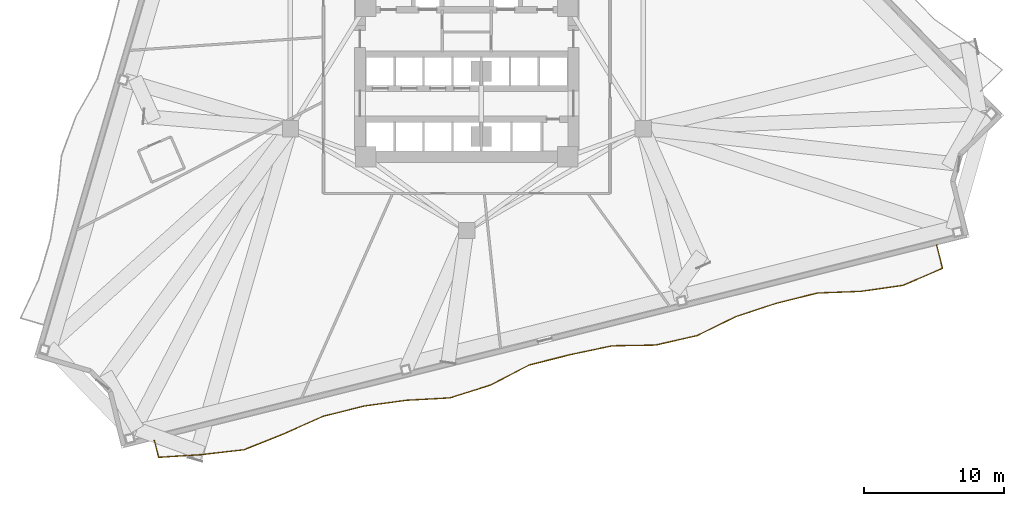
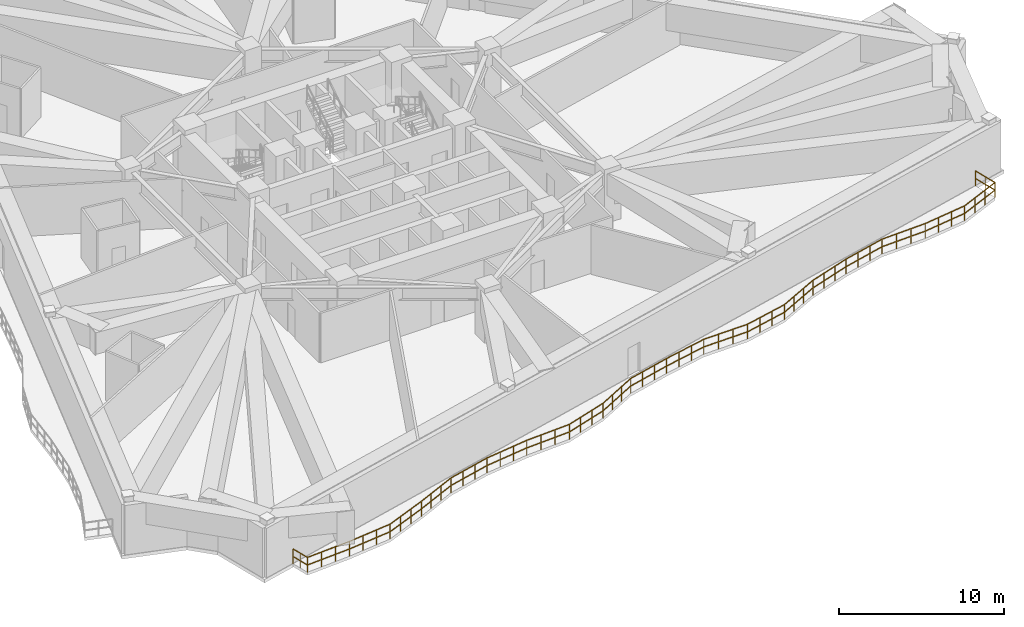
# One storey, part 11 of 14: 1 railing.
"""IFC4 building model written with IfcOpenShell, lengths in metres."""

from ifc_helpers import new_model, si_unit, direction, frame, origin, origin_2d, place, context, subcontext, project, spatial, rectangle, extrude, material, type_object, element, save


model = new_model("IFC4")

# Units and contexts
model_context = context("Model", 3, precision=1e-05, world=origin(), true_north=direction((0.0, 1.0)))
body_context = subcontext(model_context, "Body", "Model", "MODEL_VIEW")
ifc_project = project(units=[si_unit("LENGTHUNIT", "METRE"), si_unit("AREAUNIT", "SQUARE_METRE"), si_unit("VOLUMEUNIT", "CUBIC_METRE"), si_unit("PLANEANGLEUNIT", "RADIAN"), si_unit("MASSUNIT", "GRAM", prefix="KILO")], contexts=[model_context])

# Site, building, storey
site_placement = place(None, origin())
site = spatial("IfcSite", under=ifc_project, at=site_placement, CompositionType="ELEMENT")
building_placement = place(site_placement, origin())
building = spatial("IfcBuilding", under=site, at=building_placement, Name="Apsidion Concourse Tower", CompositionType="ELEMENT")
storey_placement = place(building_placement, frame((0.0, 0.0, 123.0)))
storey = spatial("IfcBuildingStorey", under=building, at=storey_placement, Name="L28", CompositionType="ELEMENT", Elevation=123.0)

# Railing
ifc_material = material(Name="Brushed stainless steel 316", Category="steel")
railing_type = type_object("IfcRailingType", Name="RL-BAL-1120", PredefinedType="BALUSTRADE", material=ifc_material)
railing_placement = place(storey_placement, frame((33.4599609375, -15.544677734375, 0.0)))
element("IfcRailing", 1, at=railing_placement, inside=storey, type_object=railing_type, Name="L28 Face 2 Rippling Balcony Balustrade", PredefinedType="BALUSTRADE", context=body_context, shape_type="SweptSolid", body=[
    extrude(rectangle(XDim=0.048095703125, YDim=0.048095703125, at=origin_2d()), frame((0.0, 0.0, 1.09619140625), z_axis=(0.241859296712, -0.970311331787, 0.0), x_axis=(0.970311331787, 0.241859296712, 0.0)), (0.0, 0.0, 1.0), 1.698974609375),
    extrude(rectangle(XDim=0.048095703125, YDim=0.048095703125, at=origin_2d()), frame((0.0, 0.0, 0.5361328125), z_axis=(0.241859296712, -0.970311331787, 0.0), x_axis=(0.970311331787, 0.241859296712, 0.0)), (0.0, 0.0, 1.0), 1.698974609375),
    extrude(rectangle(XDim=0.048095703125, YDim=0.048095703125, at=origin_2d()), frame((0.410888671875, -1.6484375, 1.09619140625), z_axis=(-0.918628669011, -0.395121966576, 0.0), x_axis=(0.395121966576, -0.918628669011, 0.0)), (0.0, 0.0, 1.0), 3.0615234375),
    extrude(rectangle(XDim=0.048095703125, YDim=0.048095703125, at=origin_2d()), frame((0.410888671875, -1.6484375, 0.5361328125), z_axis=(-0.918628669011, -0.395121966576, 0.0), x_axis=(0.395121966576, -0.918628669011, 0.0)), (0.0, 0.0, 1.0), 3.0615234375),
    extrude(rectangle(XDim=0.048095703125, YDim=0.048095703125, at=origin_2d()), frame((-2.401611328125, -2.858154296875, 1.09619140625), z_axis=(-0.989909265753, -0.141702666087, 0.0), x_axis=(0.141702666087, -0.989909265753, 0.0)), (0.0, 0.0, 1.0), 3.03759765625),
    extrude(rectangle(XDim=0.048095703125, YDim=0.048095703125, at=origin_2d()), frame((-2.401611328125, -2.858154296875, 0.5361328125), z_axis=(-0.989909265753, -0.141702666087, 0.0), x_axis=(0.141702666087, -0.989909265753, 0.0)), (0.0, 0.0, 1.0), 3.03759765625),
    extrude(rectangle(XDim=0.048095703125, YDim=0.048095703125, at=origin_2d()), frame((-5.408447265625, -3.28857421875, 1.09619140625), z_axis=(-0.999279171066, -0.037962327037, 0.0), x_axis=(0.037962327037, -0.999279171066, 0.0)), (0.0, 0.0, 1.0), 3.0869140625),
    extrude(rectangle(XDim=0.048095703125, YDim=0.048095703125, at=origin_2d()), frame((-5.408447265625, -3.28857421875, 0.5361328125), z_axis=(-0.999279171066, -0.037962327037, 0.0), x_axis=(0.037962327037, -0.999279171066, 0.0)), (0.0, 0.0, 1.0), 3.0869140625),
    extrude(rectangle(XDim=0.048095703125, YDim=0.048095703125, at=origin_2d()), frame((-8.4931640625, -3.40576171875, 1.09619140625), z_axis=(-0.970299139815, -0.241908204231, 0.0), x_axis=(0.241908204231, -0.970299139815, 0.0)), (0.0, 0.0, 1.0), 3.021728515625),
    extrude(rectangle(XDim=0.048095703125, YDim=0.048095703125, at=origin_2d()), frame((-8.4931640625, -3.40576171875, 0.5361328125), z_axis=(-0.970299139815, -0.241908204231, 0.0), x_axis=(0.241908204231, -0.970299139815, 0.0)), (0.0, 0.0, 1.0), 3.021728515625),
    extrude(rectangle(XDim=0.048095703125, YDim=0.048095703125, at=origin_2d()), frame((-11.425048828125, -4.13671875, 1.09619140625), z_axis=(-0.949869125847, -0.31264779507, 0.0), x_axis=(0.31264779507, -0.949869125847, 0.0)), (0.0, 0.0, 1.0), 3.02978515625),
    extrude(rectangle(XDim=0.048095703125, YDim=0.048095703125, at=origin_2d()), frame((-11.425048828125, -4.13671875, 0.5361328125), z_axis=(-0.949869125847, -0.31264779507, 0.0), x_axis=(0.31264779507, -0.949869125847, 0.0)), (0.0, 0.0, 1.0), 3.02978515625),
    extrude(rectangle(XDim=0.048095703125, YDim=0.048095703125, at=origin_2d()), frame((-14.302978515625, -5.083984375, 1.09619140625), z_axis=(-0.898202784708, -0.439581343488, 0.0), x_axis=(0.439581343488, -0.898202784708, 0.0)), (0.0, 0.0, 1.0), 3.090087890625),
    extrude(rectangle(XDim=0.048095703125, YDim=0.048095703125, at=origin_2d()), frame((-14.302978515625, -5.083984375, 0.5361328125), z_axis=(-0.898202784708, -0.439581343488, 0.0), x_axis=(0.439581343488, -0.898202784708, 0.0)), (0.0, 0.0, 1.0), 3.090087890625),
    extrude(rectangle(XDim=0.048095703125, YDim=0.048095703125, at=origin_2d()), frame((-17.07861328125, -6.4423828125, 1.09619140625), z_axis=(-0.97530870322, -0.220845949528, 0.0), x_axis=(0.220845949528, -0.97530870322, 0.0)), (0.0, 0.0, 1.0), 3.0224609375),
    extrude(rectangle(XDim=0.048095703125, YDim=0.048095703125, at=origin_2d()), frame((-17.07861328125, -6.4423828125, 0.5361328125), z_axis=(-0.97530870322, -0.220845949528, 0.0), x_axis=(0.220845949528, -0.97530870322, 0.0)), (0.0, 0.0, 1.0), 3.0224609375),
    extrude(rectangle(XDim=0.048095703125, YDim=0.048095703125, at=origin_2d()), frame((-20.0263671875, -7.10986328125, 1.09619140625), z_axis=(-0.999835998363, -0.018110118099, 0.0), x_axis=(0.018110118099, -0.999835998363, 0.0)), (0.0, 0.0, 1.0), 3.1005859375),
    extrude(rectangle(XDim=0.048095703125, YDim=0.048095703125, at=origin_2d()), frame((-20.0263671875, -7.10986328125, 0.5361328125), z_axis=(-0.999835998363, -0.018110118099, 0.0), x_axis=(0.018110118099, -0.999835998363, 0.0)), (0.0, 0.0, 1.0), 3.1005859375),
    extrude(rectangle(XDim=0.048095703125, YDim=0.048095703125, at=origin_2d()), frame((-23.12646484375, -7.166015625, 1.09619140625), z_axis=(-0.978349703119, -0.206958591044, 0.0), x_axis=(0.206958591044, -0.978349703119, 0.0)), (0.0, 0.0, 1.0), 3.0234375),
    extrude(rectangle(XDim=0.048095703125, YDim=0.048095703125, at=origin_2d()), frame((-23.12646484375, -7.166015625, 0.5361328125), z_axis=(-0.978349703119, -0.206958591044, 0.0), x_axis=(0.206958591044, -0.978349703119, 0.0)), (0.0, 0.0, 1.0), 3.0234375),
    extrude(rectangle(XDim=0.048095703125, YDim=0.048095703125, at=origin_2d()), frame((-26.08447265625, -7.791748046875, 1.09619140625), z_axis=(-0.969794559936, -0.243923167245, 0.0), x_axis=(0.243923167245, -0.969794559936, 0.0)), (0.0, 0.0, 1.0), 3.021728515625),
    extrude(rectangle(XDim=0.048095703125, YDim=0.048095703125, at=origin_2d()), frame((-26.08447265625, -7.791748046875, 0.5361328125), z_axis=(-0.969794559936, -0.243923167245, 0.0), x_axis=(0.243923167245, -0.969794559936, 0.0)), (0.0, 0.0, 1.0), 3.021728515625),
    extrude(rectangle(XDim=0.048095703125, YDim=0.048095703125, at=origin_2d()), frame((-29.014892578125, -8.52880859375, 1.09619140625), z_axis=(-0.887630789557, -0.460555731079, 0.0), x_axis=(0.460555731079, -0.887630789557, 0.0)), (0.0, 0.0, 1.0), 3.1064453125),
    extrude(rectangle(XDim=0.048095703125, YDim=0.048095703125, at=origin_2d()), frame((-29.014892578125, -8.52880859375, 0.5361328125), z_axis=(-0.887630789557, -0.460555731079, 0.0), x_axis=(0.460555731079, -0.887630789557, 0.0)), (0.0, 0.0, 1.0), 3.1064453125),
    extrude(rectangle(XDim=0.048095703125, YDim=0.048095703125, at=origin_2d()), frame((-31.772216796875, -9.95947265625, 1.09619140625), z_axis=(-0.953510730492, -0.301359066293, 0.0), x_axis=(0.301359066293, -0.953510730492, 0.0)), (0.0, 0.0, 1.0), 3.02734375),
    extrude(rectangle(XDim=0.048095703125, YDim=0.048095703125, at=origin_2d()), frame((-31.772216796875, -9.95947265625, 0.5361328125), z_axis=(-0.953510730492, -0.301359066293, 0.0), x_axis=(0.301359066293, -0.953510730492, 0.0)), (0.0, 0.0, 1.0), 3.02734375),
    extrude(rectangle(XDim=0.048095703125, YDim=0.048095703125, at=origin_2d()), frame((-34.658935546875, -10.871826171875, 1.09619140625), z_axis=(-0.998526280265, -0.054270319881, 0.0), x_axis=(0.054270319881, -0.998526280265, 0.0)), (0.0, 0.0, 1.0), 3.0771484375),
    extrude(rectangle(XDim=0.048095703125, YDim=0.048095703125, at=origin_2d()), frame((-34.658935546875, -10.871826171875, 0.5361328125), z_axis=(-0.998526280265, -0.054270319881, 0.0), x_axis=(0.054270319881, -0.998526280265, 0.0)), (0.0, 0.0, 1.0), 3.0771484375),
    extrude(rectangle(XDim=0.048095703125, YDim=0.048095703125, at=origin_2d()), frame((-37.7314453125, -11.038818359375, 1.09619140625), z_axis=(-0.990954366722, -0.134199266293, 0.0), x_axis=(0.134199266293, -0.990954366722, 0.0)), (0.0, 0.0, 1.0), 3.0400390625),
    extrude(rectangle(XDim=0.048095703125, YDim=0.048095703125, at=origin_2d()), frame((-37.7314453125, -11.038818359375, 0.5361328125), z_axis=(-0.990954366722, -0.134199266293, 0.0), x_axis=(0.134199266293, -0.990954366722, 0.0)), (0.0, 0.0, 1.0), 3.0400390625),
    extrude(rectangle(XDim=0.048095703125, YDim=0.048095703125, at=origin_2d()), frame((-40.743896484375, -11.44677734375, 1.09619140625), z_axis=(-0.970299139815, -0.241908204231, 0.0), x_axis=(0.241908204231, -0.970299139815, 0.0)), (0.0, 0.0, 1.0), 3.021728515625),
    extrude(rectangle(XDim=0.048095703125, YDim=0.048095703125, at=origin_2d()), frame((-40.743896484375, -11.44677734375, 0.5361328125), z_axis=(-0.970299139815, -0.241908204231, 0.0), x_axis=(0.241908204231, -0.970299139815, 0.0)), (0.0, 0.0, 1.0), 3.021728515625),
    extrude(rectangle(XDim=0.048095703125, YDim=0.048095703125, at=origin_2d()), frame((-43.67578125, -12.177734375, 1.09619140625), z_axis=(-0.913463402469, -0.406920892006, 0.0), x_axis=(0.406920892006, -0.913463402469, 0.0)), (0.0, 0.0, 1.0), 3.068359375),
    extrude(rectangle(XDim=0.048095703125, YDim=0.048095703125, at=origin_2d()), frame((-43.67578125, -12.177734375, 0.5361328125), z_axis=(-0.913463402469, -0.406920892006, 0.0), x_axis=(0.406920892006, -0.913463402469, 0.0)), (0.0, 0.0, 1.0), 3.068359375),
    extrude(rectangle(XDim=0.048095703125, YDim=0.048095703125, at=origin_2d()), frame((-46.478515625, -13.42626953125, 1.09619140625), z_axis=(-0.928156181624, -0.372190948995, 0.0), x_axis=(0.372190948995, -0.928156181624, 0.0)), (0.0, 0.0, 1.0), 3.05029296875),
    extrude(rectangle(XDim=0.048095703125, YDim=0.048095703125, at=origin_2d()), frame((-46.478515625, -13.42626953125, 0.5361328125), z_axis=(-0.928156181624, -0.372190948995, 0.0), x_axis=(0.372190948995, -0.928156181624, 0.0)), (0.0, 0.0, 1.0), 3.05029296875),
    extrude(rectangle(XDim=0.048095703125, YDim=0.048095703125, at=origin_2d()), frame((-49.3095703125, -14.5615234375, 1.09619140625), z_axis=(-0.993516911063, -0.113684420353, 0.0), x_axis=(0.113684420353, -0.993516911063, 0.0)), (0.0, 0.0, 1.0), 3.04736328125),
    extrude(rectangle(XDim=0.048095703125, YDim=0.048095703125, at=origin_2d()), frame((-49.3095703125, -14.5615234375, 0.5361328125), z_axis=(-0.993516911063, -0.113684420353, 0.0), x_axis=(0.113684420353, -0.993516911063, 0.0)), (0.0, 0.0, 1.0), 3.04736328125),
    extrude(rectangle(XDim=0.048095703125, YDim=0.048095703125, at=origin_2d()), frame((-52.337158203125, -14.907958984375, 1.09619140625), z_axis=(-0.998007169655, -0.0631006285, 0.0), x_axis=(0.0631006285, -0.998007169655, 0.0)), (0.0, 0.0, 1.0), 3.072021484375),
    extrude(rectangle(XDim=0.048095703125, YDim=0.048095703125, at=origin_2d()), frame((-52.337158203125, -14.907958984375, 0.5361328125), z_axis=(-0.998007169655, -0.0631006285, 0.0), x_axis=(0.0631006285, -0.998007169655, 0.0)), (0.0, 0.0, 1.0), 3.072021484375),
    extrude(rectangle(XDim=0.048095703125, YDim=0.048095703125, at=origin_2d()), frame((-55.403076171875, -15.101806640625, 1.09619140625), z_axis=(-0.24198413362, 0.970280206475, 0.0), x_axis=(-0.970280206475, -0.24198413362, 0.0)), (0.0, 0.0, 1.0), 1.25),
    extrude(rectangle(XDim=0.048095703125, YDim=0.048095703125, at=origin_2d()), frame((-55.403076171875, -15.101806640625, 0.5361328125), z_axis=(-0.24198413362, 0.970280206475, 0.0), x_axis=(-0.970280206475, -0.24198413362, 0.0)), (0.0, 0.0, 1.0), 1.25),
    extrude(rectangle(XDim=0.0419921875, YDim=0.0419921875, at=origin_2d()), origin(), (0.0, 0.0, 1.0), 1.072021484375),
    extrude(rectangle(XDim=0.0419921875, YDim=0.0419921875, at=origin_2d()), frame((0.20556640625, -0.82421875, 0.0)), (0.0, 0.0, 1.0), 1.072021484375),
    extrude(rectangle(XDim=0.0419921875, YDim=0.0419921875, at=origin_2d()), frame((0.410888671875, -1.6484375, 0.0)), (0.0, 0.0, 1.0), 1.072021484375),
    extrude(rectangle(XDim=0.0419921875, YDim=0.0419921875, at=origin_2d()), frame((-0.526611328125, -2.0517578125, 0.0)), (0.0, 0.0, 1.0), 1.072021484375),
    extrude(rectangle(XDim=0.0419921875, YDim=0.0419921875, at=origin_2d()), frame((-1.464111328125, -2.454833984375, 0.0)), (0.0, 0.0, 1.0), 1.072021484375),
    extrude(rectangle(XDim=0.0419921875, YDim=0.0419921875, at=origin_2d()), frame((-2.401611328125, -2.858154296875, 0.0)), (0.0, 0.0, 1.0), 1.072021484375),
    extrude(rectangle(XDim=0.0419921875, YDim=0.0419921875, at=origin_2d()), frame((-3.40380859375, -3.001708984375, 0.0)), (0.0, 0.0, 1.0), 1.072021484375),
    extrude(rectangle(XDim=0.0419921875, YDim=0.0419921875, at=origin_2d()), frame((-4.40625, -3.14501953125, 0.0)), (0.0, 0.0, 1.0), 1.072021484375),
    extrude(rectangle(XDim=0.0419921875, YDim=0.0419921875, at=origin_2d()), frame((-5.408447265625, -3.28857421875, 0.0)), (0.0, 0.0, 1.0), 1.072021484375),
    extrude(rectangle(XDim=0.0419921875, YDim=0.0419921875, at=origin_2d()), frame((-6.436767578125, -3.32763671875, 0.0)), (0.0, 0.0, 1.0), 1.072021484375),
    extrude(rectangle(XDim=0.0419921875, YDim=0.0419921875, at=origin_2d()), frame((-7.46484375, -3.36669921875, 0.0)), (0.0, 0.0, 1.0), 1.072021484375),
    extrude(rectangle(XDim=0.0419921875, YDim=0.0419921875, at=origin_2d()), frame((-8.4931640625, -3.40576171875, 0.0)), (0.0, 0.0, 1.0), 1.072021484375),
    extrude(rectangle(XDim=0.0419921875, YDim=0.0419921875, at=origin_2d()), frame((-9.470458984375, -3.6494140625, 0.0)), (0.0, 0.0, 1.0), 1.072021484375),
    extrude(rectangle(XDim=0.0419921875, YDim=0.0419921875, at=origin_2d()), frame((-10.44775390625, -3.89306640625, 0.0)), (0.0, 0.0, 1.0), 1.072021484375),
    extrude(rectangle(XDim=0.0419921875, YDim=0.0419921875, at=origin_2d()), frame((-11.425048828125, -4.13671875, 0.0)), (0.0, 0.0, 1.0), 1.072021484375),
    extrude(rectangle(XDim=0.0419921875, YDim=0.0419921875, at=origin_2d()), frame((-12.38427734375, -4.452392578125, 0.0)), (0.0, 0.0, 1.0), 1.072021484375),
    extrude(rectangle(XDim=0.0419921875, YDim=0.0419921875, at=origin_2d()), frame((-13.34375, -4.768310546875, 0.0)), (0.0, 0.0, 1.0), 1.072021484375),
    extrude(rectangle(XDim=0.0419921875, YDim=0.0419921875, at=origin_2d()), frame((-14.302978515625, -5.083984375, 0.0)), (0.0, 0.0, 1.0), 1.072021484375),
    extrude(rectangle(XDim=0.0419921875, YDim=0.0419921875, at=origin_2d()), frame((-15.228271484375, -5.536865234375, 0.0)), (0.0, 0.0, 1.0), 1.072021484375),
    extrude(rectangle(XDim=0.0419921875, YDim=0.0419921875, at=origin_2d()), frame((-16.1533203125, -5.989501953125, 0.0)), (0.0, 0.0, 1.0), 1.072021484375),
    extrude(rectangle(XDim=0.0419921875, YDim=0.0419921875, at=origin_2d()), frame((-17.07861328125, -6.4423828125, 0.0)), (0.0, 0.0, 1.0), 1.072021484375),
    extrude(rectangle(XDim=0.0419921875, YDim=0.0419921875, at=origin_2d()), frame((-18.061279296875, -6.664794921875, 0.0)), (0.0, 0.0, 1.0), 1.072021484375),
    extrude(rectangle(XDim=0.0419921875, YDim=0.0419921875, at=origin_2d()), frame((-19.043701171875, -6.887451171875, 0.0)), (0.0, 0.0, 1.0), 1.072021484375),
    extrude(rectangle(XDim=0.0419921875, YDim=0.0419921875, at=origin_2d()), frame((-20.0263671875, -7.10986328125, 0.0)), (0.0, 0.0, 1.0), 1.072021484375),
    extrude(rectangle(XDim=0.0419921875, YDim=0.0419921875, at=origin_2d()), frame((-21.059814453125, -7.128662109375, 0.0)), (0.0, 0.0, 1.0), 1.072021484375),
    extrude(rectangle(XDim=0.0419921875, YDim=0.0419921875, at=origin_2d()), frame((-22.093017578125, -7.147216796875, 0.0)), (0.0, 0.0, 1.0), 1.072021484375),
    extrude(rectangle(XDim=0.0419921875, YDim=0.0419921875, at=origin_2d()), frame((-23.12646484375, -7.166015625, 0.0)), (0.0, 0.0, 1.0), 1.072021484375),
    extrude(rectangle(XDim=0.0419921875, YDim=0.0419921875, at=origin_2d()), frame((-24.112548828125, -7.37451171875, 0.0)), (0.0, 0.0, 1.0), 1.072021484375),
    extrude(rectangle(XDim=0.0419921875, YDim=0.0419921875, at=origin_2d()), frame((-25.098388671875, -7.583251953125, 0.0)), (0.0, 0.0, 1.0), 1.072021484375),
    extrude(rectangle(XDim=0.0419921875, YDim=0.0419921875, at=origin_2d()), frame((-26.08447265625, -7.791748046875, 0.0)), (0.0, 0.0, 1.0), 1.072021484375),
    extrude(rectangle(XDim=0.0419921875, YDim=0.0419921875, at=origin_2d()), frame((-27.061279296875, -8.037353515625, 0.0)), (0.0, 0.0, 1.0), 1.072021484375),
    extrude(rectangle(XDim=0.0419921875, YDim=0.0419921875, at=origin_2d()), frame((-28.0380859375, -8.283203125, 0.0)), (0.0, 0.0, 1.0), 1.072021484375),
    extrude(rectangle(XDim=0.0419921875, YDim=0.0419921875, at=origin_2d()), frame((-29.014892578125, -8.52880859375, 0.0)), (0.0, 0.0, 1.0), 1.072021484375),
    extrude(rectangle(XDim=0.0419921875, YDim=0.0419921875, at=origin_2d()), frame((-29.93408203125, -9.005615234375, 0.0)), (0.0, 0.0, 1.0), 1.072021484375),
    extrude(rectangle(XDim=0.0419921875, YDim=0.0419921875, at=origin_2d()), frame((-30.85302734375, -9.482666015625, 0.0)), (0.0, 0.0, 1.0), 1.072021484375),
    extrude(rectangle(XDim=0.0419921875, YDim=0.0419921875, at=origin_2d()), frame((-31.772216796875, -9.95947265625, 0.0)), (0.0, 0.0, 1.0), 1.072021484375),
    extrude(rectangle(XDim=0.0419921875, YDim=0.0419921875, at=origin_2d()), frame((-32.734375, -10.263671875, 0.0)), (0.0, 0.0, 1.0), 1.072021484375),
    extrude(rectangle(XDim=0.0419921875, YDim=0.0419921875, at=origin_2d()), frame((-33.69677734375, -10.567626953125, 0.0)), (0.0, 0.0, 1.0), 1.072021484375),
    extrude(rectangle(XDim=0.0419921875, YDim=0.0419921875, at=origin_2d()), frame((-34.658935546875, -10.871826171875, 0.0)), (0.0, 0.0, 1.0), 1.072021484375),
    extrude(rectangle(XDim=0.0419921875, YDim=0.0419921875, at=origin_2d()), frame((-35.68310546875, -10.927490234375, 0.0)), (0.0, 0.0, 1.0), 1.072021484375),
    extrude(rectangle(XDim=0.0419921875, YDim=0.0419921875, at=origin_2d()), frame((-36.707275390625, -10.983154296875, 0.0)), (0.0, 0.0, 1.0), 1.072021484375),
    extrude(rectangle(XDim=0.0419921875, YDim=0.0419921875, at=origin_2d()), frame((-37.7314453125, -11.038818359375, 0.0)), (0.0, 0.0, 1.0), 1.072021484375),
    extrude(rectangle(XDim=0.0419921875, YDim=0.0419921875, at=origin_2d()), frame((-38.735595703125, -11.1748046875, 0.0)), (0.0, 0.0, 1.0), 1.072021484375),
    extrude(rectangle(XDim=0.0419921875, YDim=0.0419921875, at=origin_2d()), frame((-39.73974609375, -11.310791015625, 0.0)), (0.0, 0.0, 1.0), 1.072021484375),
    extrude(rectangle(XDim=0.0419921875, YDim=0.0419921875, at=origin_2d()), frame((-40.743896484375, -11.44677734375, 0.0)), (0.0, 0.0, 1.0), 1.072021484375),
    extrude(rectangle(XDim=0.0419921875, YDim=0.0419921875, at=origin_2d()), frame((-41.72119140625, -11.6904296875, 0.0)), (0.0, 0.0, 1.0), 1.072021484375),
    extrude(rectangle(XDim=0.0419921875, YDim=0.0419921875, at=origin_2d()), frame((-42.698486328125, -11.93408203125, 0.0)), (0.0, 0.0, 1.0), 1.072021484375),
    extrude(rectangle(XDim=0.0419921875, YDim=0.0419921875, at=origin_2d()), frame((-43.67578125, -12.177734375, 0.0)), (0.0, 0.0, 1.0), 1.072021484375),
    extrude(rectangle(XDim=0.0419921875, YDim=0.0419921875, at=origin_2d()), frame((-44.610107421875, -12.593994140625, 0.0)), (0.0, 0.0, 1.0), 1.072021484375),
    extrude(rectangle(XDim=0.0419921875, YDim=0.0419921875, at=origin_2d()), frame((-45.544189453125, -13.010009765625, 0.0)), (0.0, 0.0, 1.0), 1.072021484375),
    extrude(rectangle(XDim=0.0419921875, YDim=0.0419921875, at=origin_2d()), frame((-46.478515625, -13.42626953125, 0.0)), (0.0, 0.0, 1.0), 1.072021484375),
    extrude(rectangle(XDim=0.0419921875, YDim=0.0419921875, at=origin_2d()), frame((-47.422119140625, -13.8046875, 0.0)), (0.0, 0.0, 1.0), 1.072021484375),
    extrude(rectangle(XDim=0.0419921875, YDim=0.0419921875, at=origin_2d()), frame((-48.365966796875, -14.18310546875, 0.0)), (0.0, 0.0, 1.0), 1.072021484375),
    extrude(rectangle(XDim=0.0419921875, YDim=0.0419921875, at=origin_2d()), frame((-49.3095703125, -14.5615234375, 0.0)), (0.0, 0.0, 1.0), 1.072021484375),
    extrude(rectangle(XDim=0.0419921875, YDim=0.0419921875, at=origin_2d()), frame((-50.31884765625, -14.677001953125, 0.0)), (0.0, 0.0, 1.0), 1.072021484375),
    extrude(rectangle(XDim=0.0419921875, YDim=0.0419921875, at=origin_2d()), frame((-51.327880859375, -14.79248046875, 0.0)), (0.0, 0.0, 1.0), 1.072021484375),
    extrude(rectangle(XDim=0.0419921875, YDim=0.0419921875, at=origin_2d()), frame((-52.337158203125, -14.907958984375, 0.0)), (0.0, 0.0, 1.0), 1.072021484375),
    extrude(rectangle(XDim=0.0419921875, YDim=0.0419921875, at=origin_2d()), frame((-53.359130859375, -14.97265625, 0.0)), (0.0, 0.0, 1.0), 1.072021484375),
    extrude(rectangle(XDim=0.0419921875, YDim=0.0419921875, at=origin_2d()), frame((-54.381103515625, -15.037109375, 0.0)), (0.0, 0.0, 1.0), 1.072021484375),
    extrude(rectangle(XDim=0.0419921875, YDim=0.0419921875, at=origin_2d()), frame((-55.403076171875, -15.101806640625, 0.0)), (0.0, 0.0, 1.0), 1.072021484375),
    extrude(rectangle(XDim=0.0419921875, YDim=0.0419921875, at=origin_2d()), frame((-55.55419921875, -14.495361328125, 0.0)), (0.0, 0.0, 1.0), 1.072021484375),
    extrude(rectangle(XDim=0.0419921875, YDim=0.0419921875, at=origin_2d()), frame((-55.70556640625, -13.888916015625, 0.0)), (0.0, 0.0, 1.0), 1.072021484375),
])

save(model, "model.ifc")
